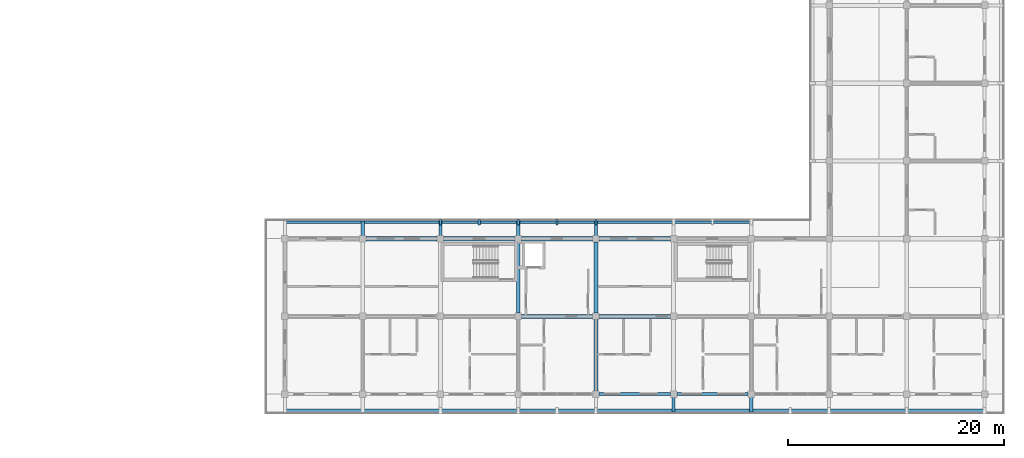
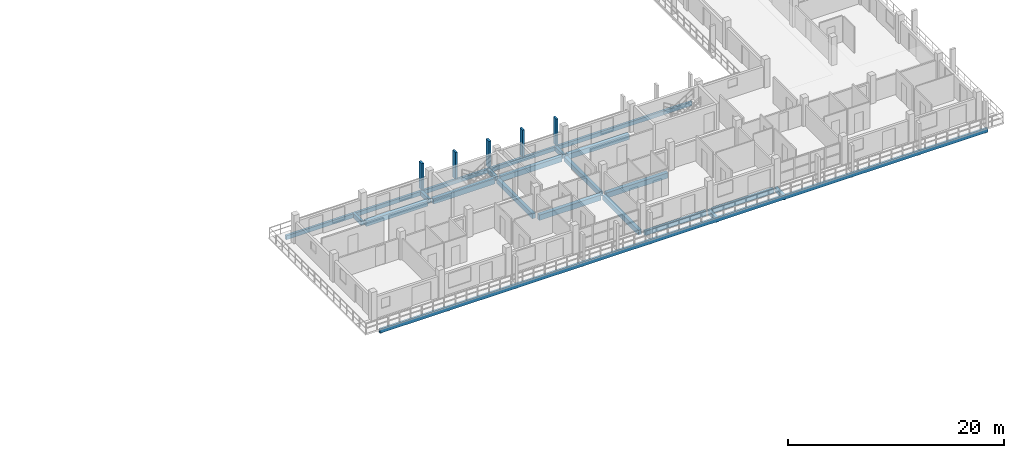
# One storey, part 26 of 78: 19 beams, 5 members.
"""IFC4 building model written with IfcOpenShell, lengths in metres."""

from ifc_helpers import new_model, si_unit, direction, frame, origin, origin_2d, place, context, subcontext, project, spatial, rectangle, extrude, material, material_profile, profile_set, type_object, element, save


model = new_model("IFC4")

# Units and contexts
model_context = context("Model", 3, precision=1e-05, world=origin(), true_north=direction((0.0, 1.0)))
body_context = subcontext(model_context, "Body", "Model", "MODEL_VIEW")
ifc_project = project(units=[si_unit("LENGTHUNIT", "METRE"), si_unit("AREAUNIT", "SQUARE_METRE"), si_unit("VOLUMEUNIT", "CUBIC_METRE"), si_unit("PLANEANGLEUNIT", "RADIAN"), si_unit("MASSUNIT", "GRAM", prefix="KILO")], contexts=[model_context])

# Site, building, storey
site_placement = place(None, origin())
site = spatial("IfcSite", under=ifc_project, at=site_placement, CompositionType="ELEMENT")
building_placement = place(site_placement, origin())
building = spatial("IfcBuilding", under=site, at=building_placement, Name="Suanplinth Sawtooth Commons", CompositionType="ELEMENT")
storey_placement = place(building_placement, frame((0.0, 0.0, 15.39990234375)))
storey = spatial("IfcBuildingStorey", under=building, at=storey_placement, Name="L04", CompositionType="ELEMENT", Elevation=15.39990234375)

# Beams
ifc_material_1 = material(Name="Precast concrete C40/50", Category="concrete")
ifc_material_profile_1 = material_profile(ifc_material_1, rectangle(XDim=0.39990234375, YDim=0.60009765625, at=origin_2d()), Name="PC-GDR 400x600")
ifc_profile_set_1 = profile_set([ifc_material_profile_1], Name="Precast concrete C40/50")
beam_type_1 = type_object("IfcBeamType", Name="B-05", PredefinedType="USERDEFINED", material=ifc_profile_set_1)
beam_1_placement = place(storey_placement, frame((129.89990234375, 14.39990234375, -0.52001953125), z_axis=(1.0, 0.0, 0.0), x_axis=(0.0, 1.0, 0.0)))
element("IfcBeam", 1, at=beam_1_placement, inside=storey, type_object=beam_type_1, Name="BMX-L04-C-18-2", ObjectType="GIRDER", PredefinedType="USERDEFINED", context=body_context, shape_type="SweptSolid", body=[
    extrude(rectangle(XDim=0.39990234375, YDim=0.60009765625, at=origin_2d()), origin(), (0.0, 0.0, 1.0), 6.60009765625),
])
for number, where, z_axis, x_axis, name in (
    (2, (137.10009765625, 14.39990234375, -0.52001953125), (1.0, 0.0, 0.0), (0.0, 1.0, 0.0), "BMX-L04-C-19-2"),
    (3, (144.300048828125, 7.199951171875, -0.52001953125), (1.0, 0.0, 0.0), (0.0, 1.0, 0.0), "BMX-L04-C-20-1"),
    (4, (144.300048828125, 14.39990234375, -0.52001953125), (1.0, 0.0, 0.0), (0.0, 1.0, 0.0), "BMX-L04-C-20-2"),
):
    element("IfcBeam", number, at=place(storey_placement, frame(where, z_axis=z_axis, x_axis=x_axis)), inside=storey, type_object=beam_type_1, Name=name, ObjectType="GIRDER", PredefinedType="USERDEFINED", context=body_context, shape_type="SweptSolid", body=[
        extrude(rectangle(XDim=0.39990234375, YDim=0.60009765625, at=origin_2d()), origin(), (0.0, 0.0, 1.0), 6.599853515625),
    ])
for number, where, z_axis, x_axis, name in (
    (5, (151.5, 7.199951171875, -0.52001953125), (1.0, 0.0, 0.0), (0.0, 1.0, 0.0), "BMX-L04-C-21-1"),
    (6, (151.5, 14.39990234375, -0.52001953125), (1.0, 0.0, 0.0), (0.0, 1.0, 0.0), "BMX-L04-C-21-2"),
):
    element("IfcBeam", number, at=place(storey_placement, frame(where, z_axis=z_axis, x_axis=x_axis)), inside=storey, type_object=beam_type_1, Name=name, ObjectType="GIRDER", PredefinedType="USERDEFINED", context=body_context, shape_type="SweptSolid", body=[
        extrude(rectangle(XDim=0.39990234375, YDim=0.60009765625, at=origin_2d()), origin(), (0.0, 0.0, 1.0), 6.60009765625),
    ])
ifc_material_profile_2 = material_profile(ifc_material_1, rectangle(XDim=0.35009765625, YDim=0.550048828125, at=origin_2d()), Name="PC-BM 350x550")
ifc_profile_set_2 = profile_set([ifc_material_profile_2], Name="Precast concrete C40/50")
beam_type_2 = type_object("IfcBeamType", Name="B-06", PredefinedType="BEAM", material=ifc_profile_set_2)
beam_2_placement = place(storey_placement, frame((144.0, 7.5, -0.494873046875), z_axis=(0.0, 1.0, 0.0), x_axis=(-1.0, 0.0, 0.0)))
element("IfcBeam", 7, at=beam_2_placement, inside=storey, type_object=beam_type_2, Name="BMY-L04-C-20-1", PredefinedType="BEAM", context=body_context, shape_type="SweptSolid", body=[
    extrude(rectangle(XDim=0.35009765625, YDim=0.550048828125, at=origin_2d()), origin(), (0.0, 0.0, 1.0), 6.60009765625),
])
beam_3_placement = place(storey_placement, frame((151.199951171875, 0.300048828125, -0.494873046875), z_axis=(0.0, 1.0, 0.0), x_axis=(-1.0, 0.0, 0.0)))
element("IfcBeam", 8, at=beam_3_placement, inside=storey, type_object=beam_type_2, Name="BMY-L04-C-21-0", PredefinedType="BEAM", context=body_context, shape_type="SweptSolid", body=[
    extrude(rectangle(XDim=0.35009765625, YDim=0.550048828125, at=origin_2d()), origin(), (0.0, 0.0, 1.0), 6.599853515625),
])
beam_4_placement = place(storey_placement, frame((151.199951171875, 7.5, -0.494873046875), z_axis=(0.0, 1.0, 0.0), x_axis=(-1.0, 0.0, 0.0)))
element("IfcBeam", 9, at=beam_4_placement, inside=storey, type_object=beam_type_2, Name="BMY-L04-C-21-1", PredefinedType="BEAM", context=body_context, shape_type="SweptSolid", body=[
    extrude(rectangle(XDim=0.35009765625, YDim=0.550048828125, at=origin_2d()), origin(), (0.0, 0.0, 1.0), 6.60009765625),
])
ifc_material_profile_3 = material_profile(ifc_material_1, rectangle(XDim=0.300048828125, YDim=0.5, at=origin_2d()), Name="PC-BM 300x500")
ifc_profile_set_3 = profile_set([ifc_material_profile_3], Name="Precast concrete C40/50")
beam_type_3 = type_object("IfcBeamType", Name="B-07", PredefinedType="BEAM", material=ifc_profile_set_3)
for number, where, z_axis, x_axis, name in (
    (10, (158.39990234375, 0.0, -0.429931640625), (0.0, -1.0, 0.0), (1.0, 0.0, 0.0), "Balcony Outrigger L04-C-S-22"),
    (11, (165.60009765625, 0.0, -0.429931640625), (0.0, -1.0, 0.0), (1.0, 0.0, 0.0), "Balcony Outrigger L04-C-S-23"),
):
    element("IfcBeam", number, at=place(storey_placement, frame(where, z_axis=z_axis, x_axis=x_axis)), inside=storey, type_object=beam_type_3, Name=name, PredefinedType="BEAM", context=body_context, shape_type="SweptSolid", body=[
        extrude(rectangle(XDim=0.300048828125, YDim=0.5, at=origin_2d()), origin(), (0.0, 0.0, 1.0), 1.639892578125),
    ])
for number, where, z_axis, x_axis, name in (
    (12, (129.60009765625, 14.39990234375, -0.4248046875), (0.0, 1.0, 0.0), (-1.0, 0.0, 0.0), "Balcony Outrigger L04-C-NC-18"),
    (13, (136.800048828125, 14.39990234375, -0.4248046875), (0.0, 1.0, 0.0), (-1.0, 0.0, 0.0), "Balcony Outrigger L04-C-NC-19"),
    (14, (144.0, 14.39990234375, -0.4248046875), (0.0, 1.0, 0.0), (-1.0, 0.0, 0.0), "Balcony Outrigger L04-C-NC-20"),
    (15, (151.199951171875, 14.39990234375, -0.4248046875), (0.0, 1.0, 0.0), (-1.0, 0.0, 0.0), "Balcony Outrigger L04-C-NC-21"),
):
    element("IfcBeam", number, at=place(storey_placement, frame(where, z_axis=z_axis, x_axis=x_axis)), inside=storey, type_object=beam_type_3, Name=name, PredefinedType="BEAM", context=body_context, shape_type="SweptSolid", body=[
        extrude(rectangle(XDim=0.300048828125, YDim=0.5, at=origin_2d()), origin(), (0.0, 0.0, 1.0), 1.64013671875),
    ])
ifc_material_profile_4 = material_profile(ifc_material_1, rectangle(XDim=0.280029296875, YDim=0.52001953125, at=origin_2d()), Name="PC-SP 280x520")
ifc_profile_set_4 = profile_set([ifc_material_profile_4], Name="Precast concrete C40/50")
beam_type_4 = type_object("IfcBeamType", Name="B-08", PredefinedType="SPANDREL", material=ifc_profile_set_4)
for number, where, z_axis, x_axis, name in (
    (16, (151.5, 0.0, -0.47998046875), (1.0, 0.0, 0.0), (0.0, 1.0, 0.0), "BMX-L04-C-21-0"),
    (17, (158.699951171875, 0.0, -0.47998046875), (1.0, 0.0, 0.0), (0.0, 1.0, 0.0), "BMX-L04-C-22-0"),
):
    element("IfcBeam", number, at=place(storey_placement, frame(where, z_axis=z_axis, x_axis=x_axis)), inside=storey, type_object=beam_type_4, Name=name, PredefinedType="SPANDREL", context=body_context, shape_type="SweptSolid", body=[
        extrude(rectangle(XDim=0.280029296875, YDim=0.52001953125, at=origin_2d()), origin(), (0.0, 0.0, 1.0), 6.60009765625),
    ])
ifc_material_profile_5 = material_profile(ifc_material_1, rectangle(XDim=0.25, YDim=0.449951171875, at=origin_2d()), Name="PC-SP 250x450")
ifc_profile_set_5 = profile_set([ifc_material_profile_5], Name="Precast concrete C40/50")
beam_type_5 = type_object("IfcBeamType", Name="B-09", PredefinedType="SPANDREL", material=ifc_profile_set_5)
beam_5_placement = place(storey_placement, frame((122.25, -1.52001953125, -0.40478515625), z_axis=(1.0, 0.0, 0.0), x_axis=(0.0, 1.0, 0.0)))
element("IfcBeam", 18, at=beam_5_placement, inside=storey, type_object=beam_type_5, Name="Balcony Edge Fascia L04-C-S", PredefinedType="SPANDREL", context=body_context, shape_type="SweptSolid", body=[
    extrude(rectangle(XDim=0.25, YDim=0.449951171875, at=origin_2d()), origin(), (0.0, 0.0, 1.0), 65.10009765625),
])
beam_6_placement = place(storey_placement, frame((122.25, 15.919921875, -0.39990234375), z_axis=(1.0, 0.0, 0.0), x_axis=(0.0, 1.0, 0.0)))
element("IfcBeam", 19, at=beam_6_placement, inside=storey, type_object=beam_type_5, Name="Balcony Edge Fascia L04-C-NC", PredefinedType="SPANDREL", context=body_context, shape_type="SweptSolid", body=[
    extrude(rectangle(XDim=0.25, YDim=0.449951171875, at=origin_2d()), origin(), (0.0, 0.0, 1.0), 43.5),
])

# Members
ifc_material_2 = material(Name="Pigmented precast concrete C40/50", Category="concrete")
ifc_material_profile_6 = material_profile(ifc_material_2, rectangle(XDim=0.2099609375, YDim=0.52001953125, at=origin_2d()), Name="PC-FIN 210x520")
ifc_profile_set_6 = profile_set([ifc_material_profile_6], Name="Pigmented precast concrete C40/50")
member_type = type_object("IfcMemberType", Name="M-12", PredefinedType="USERDEFINED", material=ifc_profile_set_6)
for number, where, z_axis, x_axis, name in (
    (20, (136.800048828125, 15.919921875, 0.0), (0.0, 0.0, 1.0), (1.0, 0.0, 0.0), "Upright Solar Blade L04-C-NC-13"),
    (21, (140.39990234375, 15.919921875, 0.0), (0.0, 0.0, 1.0), (1.0, 0.0, 0.0), "Upright Solar Blade L04-C-NC-14"),
    (22, (144.0, 15.919921875, 0.0), (0.0, 0.0, 1.0), (1.0, 0.0, 0.0), "Upright Solar Blade L04-C-NC-15"),
    (23, (147.60009765625, 15.919921875, 0.0), (0.0, 0.0, 1.0), (1.0, 0.0, 0.0), "Upright Solar Blade L04-C-NC-16"),
    (24, (151.199951171875, 15.919921875, 0.0), (0.0, 0.0, 1.0), (1.0, 0.0, 0.0), "Upright Solar Blade L04-C-NC-17"),
):
    element("IfcMember", number, at=place(storey_placement, frame(where, z_axis=z_axis, x_axis=x_axis)), inside=storey, type_object=member_type, Name=name, ObjectType="SHADING FIN", PredefinedType="USERDEFINED", context=body_context, shape_type="SweptSolid", body=[
        extrude(rectangle(XDim=0.2099609375, YDim=0.52001953125, at=origin_2d()), origin(), (0.0, 0.0, 1.0), 3.030029296875),
    ])

save(model, "model.ifc")
